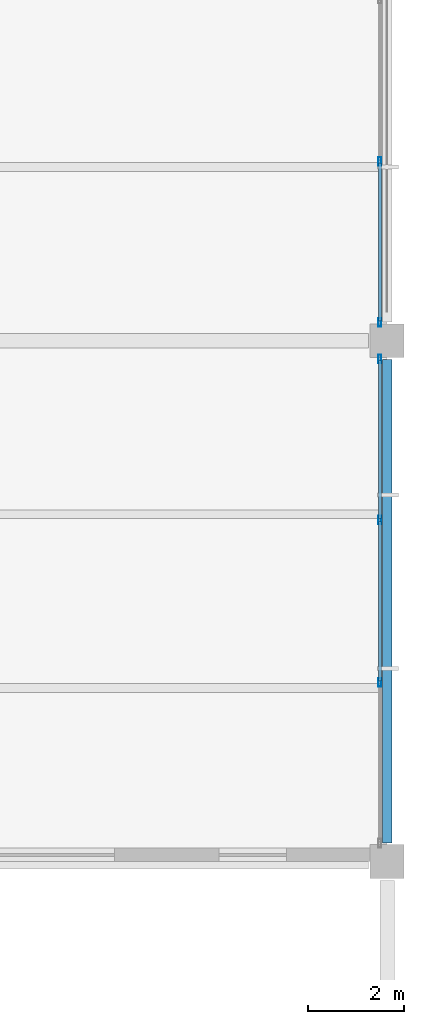
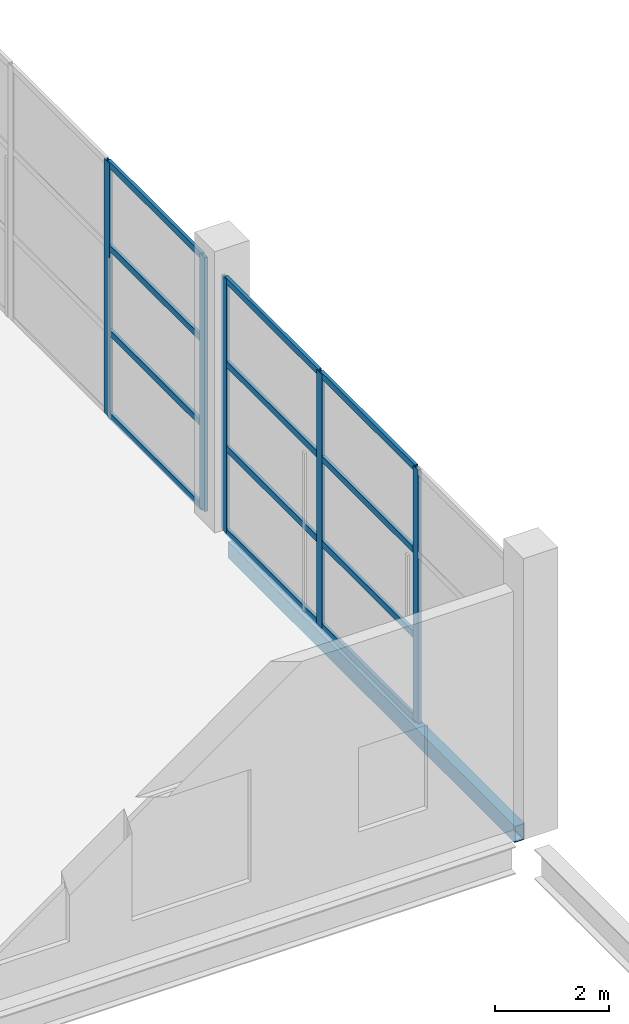
# One storey, part 138 of 191: 17 members, 1 beam, 2 elements without a shape of their own.
"""IFC4 building model written with IfcOpenShell, lengths in metres."""

from ifc_helpers import new_model, si_unit, direction, frame, origin, origin_2d, place, context, subcontext, project, spatial, hollow_rectangle, extrude, material, layer, layer_set, material_profile, profile_set, type_object, element, aggregate, save


model = new_model("IFC4")

# Units and contexts
model_context = context("Model", 3, precision=1e-05, world=origin(), true_north=direction((0.0, 1.0)))
body_context = subcontext(model_context, "Body", "Model", "MODEL_VIEW")
ifc_project = project(units=[si_unit("LENGTHUNIT", "METRE"), si_unit("AREAUNIT", "SQUARE_METRE"), si_unit("VOLUMEUNIT", "CUBIC_METRE"), si_unit("PLANEANGLEUNIT", "RADIAN"), si_unit("MASSUNIT", "GRAM", prefix="KILO")], contexts=[model_context])

# Site, building, storey
site_placement = place(None, origin())
site = spatial("IfcSite", under=ifc_project, at=site_placement, CompositionType="ELEMENT")
building_placement = place(site_placement, origin())
building = spatial("IfcBuilding", under=site, at=building_placement, Name="Tamarisk Ironworks Central Station", CompositionType="ELEMENT")
storey_placement = place(building_placement, frame((0.0, 0.0, 6.60009765625)))
storey = spatial("IfcBuildingStorey", under=building, at=storey_placement, Name="L01", CompositionType="ELEMENT", Elevation=6.60009765625)

# Beam
ifc_material_1 = material(Name="Structural steel S355J2", Category="steel")
ifc_material_profile_1 = material_profile(ifc_material_1, hollow_rectangle(XDim=0.199951171875, YDim=0.35009765625, WallThickness=0.012451171875, at=origin_2d()), Name="RHS 350x200x12.5")
ifc_profile_set_1 = profile_set([ifc_material_profile_1], Name="Structural steel S355J2")
beam_type = type_object("IfcBeamType", Name="BM-SP01", PredefinedType="SPANDREL", material=ifc_profile_set_1)
beam_placement = place(storey_placement, frame((180.0, 79.587890625, -0.425048828125), z_axis=(0.0, 1.0, 0.0), x_axis=(-1.0, 0.0, 0.0)))
element("IfcBeam", 1, at=beam_placement, inside=storey, type_object=beam_type, Name="L01 primary girder Y-0293", PredefinedType="SPANDREL", context=body_context, shape_type="SweptSolid", body=[
    extrude(hollow_rectangle(XDim=0.199951171875, YDim=0.35009765625, WallThickness=0.012451171875, at=origin_2d()), origin(), (0.0, 0.0, 1.0), 10.024169921875),
])

# Curtain wall, members
ifc_material_2 = material(Name="Anodized aluminium alloy 6063-T6", Category="aluminium")
ifc_layer = layer(ifc_material_2, 0.179931640625)
ifc_layer_set = layer_set([ifc_layer], Name="Anodized aluminium alloy 6063-T6")
curtain_wall_type = type_object("IfcCurtainWallType", Name="CW-16", PredefinedType="USERDEFINED", material=ifc_layer_set)
curtain_wall_1_placement = place(storey_placement, origin())
curtain_wall_1 = element("IfcCurtainWall", 2, at=curtain_wall_1_placement, inside=storey, type_object=curtain_wall_type, Name="Operations L01 east facade curtain wall 079", ObjectType="GLAZED CURTAIN WALL", PredefinedType="USERDEFINED")
ifc_material_profile_2 = material_profile(ifc_material_2, hollow_rectangle(XDim=0.06494140625, YDim=0.179931640625, WallThickness=0.00390625, at=origin_2d()), Name="ALUM 180x65")
ifc_profile_set_2 = profile_set([ifc_material_profile_2], Name="Anodized aluminium alloy 6063-T6")
member_type_1 = type_object("IfcMemberType", Name="CWM-02", PredefinedType="MULLION", material=ifc_profile_set_2)
member_1_placement = place(storey_placement, frame((179.85009765625, 82.916015625, 0.0), z_axis=(0.0, 0.0, 1.0), x_axis=(-1.0, 0.0, 0.0)))
member_1 = element("IfcMember", 3, at=member_1_placement, type_object=member_type_1, Name="CW16 mullion 2", PredefinedType="MULLION", context=body_context, shape_type="SweptSolid", body=[
    extrude(hollow_rectangle(XDim=0.06494140625, YDim=0.179931640625, WallThickness=0.00390625, at=origin_2d()), origin(), (0.0, 0.0, 1.0), 5.419921875),
])
member_2_placement = place(storey_placement, frame((179.85009765625, 86.283935546875, 0.0), z_axis=(0.0, 0.0, 1.0), x_axis=(-1.0, 0.0, 0.0)))
member_2 = element("IfcMember", 4, at=member_2_placement, type_object=member_type_1, Name="CW16 mullion 3", PredefinedType="MULLION", context=body_context, shape_type="SweptSolid", body=[
    extrude(hollow_rectangle(XDim=0.06494140625, YDim=0.179931640625, WallThickness=0.00390625, at=origin_2d()), origin(), (0.0, 0.0, 1.0), 5.419921875),
])
member_3_placement = place(storey_placement, frame((179.85009765625, 89.619384765625, 0.0), z_axis=(0.0, 0.0, 1.0), x_axis=(-1.0, 0.0, 0.0)))
member_3 = element("IfcMember", 5, at=member_3_placement, type_object=member_type_1, Name="CW16 mullion 4", PredefinedType="MULLION", context=body_context, shape_type="SweptSolid", body=[
    extrude(hollow_rectangle(XDim=0.06494140625, YDim=0.179931640625, WallThickness=0.00390625, at=origin_2d()), origin(), (0.0, 0.0, 1.0), 5.419921875),
])

curtain_wall_2_placement = place(storey_placement, origin())
curtain_wall_2 = element("IfcCurtainWall", 6, at=curtain_wall_2_placement, inside=storey, type_object=curtain_wall_type, Name="Operations L01 east facade curtain wall 090", ObjectType="GLAZED CURTAIN WALL", PredefinedType="USERDEFINED")
member_4_placement = place(storey_placement, frame((179.85009765625, 90.380615234375, 0.0), z_axis=(0.0, 0.0, 1.0), x_axis=(-1.0, 0.0, 0.0)))
member_4 = element("IfcMember", 7, at=member_4_placement, type_object=member_type_1, Name="CW16 mullion 1", PredefinedType="MULLION", context=body_context, shape_type="SweptSolid", body=[
    extrude(hollow_rectangle(XDim=0.06494140625, YDim=0.179931640625, WallThickness=0.00390625, at=origin_2d()), origin(), (0.0, 0.0, 1.0), 5.419921875),
])
member_5_placement = place(storey_placement, frame((179.85009765625, 93.716064453125, 0.0), z_axis=(0.0, 0.0, 1.0), x_axis=(-1.0, 0.0, 0.0)))
member_5 = element("IfcMember", 8, at=member_5_placement, type_object=member_type_1, Name="CW16 mullion 2", PredefinedType="MULLION", context=body_context, shape_type="SweptSolid", body=[
    extrude(hollow_rectangle(XDim=0.06494140625, YDim=0.179931640625, WallThickness=0.00390625, at=origin_2d()), origin(), (0.0, 0.0, 1.0), 5.419921875),
])

# Member
ifc_material_profile_3 = material_profile(ifc_material_2, hollow_rectangle(XDim=0.06494140625, YDim=0.135009765625, WallThickness=0.00341796875, at=origin_2d()), Name="ALUM 135x65")
ifc_profile_set_3 = profile_set([ifc_material_profile_3], Name="Anodized aluminium alloy 6063-T6")
member_type_2 = type_object("IfcMemberType", Name="CWT-02", PredefinedType="USERDEFINED", material=ifc_profile_set_3)
member_6_placement = place(storey_placement, frame((179.85009765625, 82.944580078125, 0.032470703125), z_axis=(0.0, 1.0, 0.0), x_axis=(-1.0, 0.0, 0.0)))
member_6 = element("IfcMember", 9, at=member_6_placement, type_object=member_type_2, Name="CW16 transom 2.1", ObjectType="TRANSOM", PredefinedType="USERDEFINED", context=body_context, shape_type="SweptSolid", body=[
    extrude(hollow_rectangle(XDim=0.06494140625, YDim=0.135009765625, WallThickness=0.00341796875, at=origin_2d()), origin(), (0.0, 0.0, 1.0), 3.31103515625),
])

member_7_placement = place(storey_placement, frame((179.85009765625, 82.944580078125, 1.806640625), z_axis=(0.0, 1.0, 0.0), x_axis=(-1.0, 0.0, 0.0)))
member_7 = element("IfcMember", 10, at=member_7_placement, type_object=member_type_2, Name="CW16 transom 2.2", ObjectType="TRANSOM", PredefinedType="USERDEFINED", context=body_context, shape_type="SweptSolid", body=[
    extrude(hollow_rectangle(XDim=0.06494140625, YDim=0.135009765625, WallThickness=0.00341796875, at=origin_2d()), origin(), (0.0, 0.0, 1.0), 3.31103515625),
])

member_8_placement = place(storey_placement, frame((179.85009765625, 82.944580078125, 3.61328125), z_axis=(0.0, 1.0, 0.0), x_axis=(-1.0, 0.0, 0.0)))
member_8 = element("IfcMember", 11, at=member_8_placement, type_object=member_type_2, Name="CW16 transom 2.3", ObjectType="TRANSOM", PredefinedType="USERDEFINED", context=body_context, shape_type="SweptSolid", body=[
    extrude(hollow_rectangle(XDim=0.06494140625, YDim=0.135009765625, WallThickness=0.00341796875, at=origin_2d()), origin(), (0.0, 0.0, 1.0), 3.31103515625),
])

member_9_placement = place(storey_placement, frame((179.85009765625, 82.944580078125, 5.387451171875), z_axis=(0.0, 1.0, 0.0), x_axis=(-1.0, 0.0, 0.0)))
member_9 = element("IfcMember", 12, at=member_9_placement, type_object=member_type_2, Name="CW16 transom 2.4", ObjectType="TRANSOM", PredefinedType="USERDEFINED", context=body_context, shape_type="SweptSolid", body=[
    extrude(hollow_rectangle(XDim=0.06494140625, YDim=0.135009765625, WallThickness=0.00341796875, at=origin_2d()), origin(), (0.0, 0.0, 1.0), 3.31103515625),
])

member_10_placement = place(storey_placement, frame((179.85009765625, 86.3125, 0.032470703125), z_axis=(0.0, 1.0, 0.0), x_axis=(-1.0, 0.0, 0.0)))
member_10 = element("IfcMember", 13, at=member_10_placement, type_object=member_type_2, Name="CW16 transom 3.1", ObjectType="TRANSOM", PredefinedType="USERDEFINED", context=body_context, shape_type="SweptSolid", body=[
    extrude(hollow_rectangle(XDim=0.06494140625, YDim=0.135009765625, WallThickness=0.00341796875, at=origin_2d()), origin(), (0.0, 0.0, 1.0), 3.278564453125),
])

member_11_placement = place(storey_placement, frame((179.85009765625, 86.3125, 1.806640625), z_axis=(0.0, 1.0, 0.0), x_axis=(-1.0, 0.0, 0.0)))
member_11 = element("IfcMember", 14, at=member_11_placement, type_object=member_type_2, Name="CW16 transom 3.2", ObjectType="TRANSOM", PredefinedType="USERDEFINED", context=body_context, shape_type="SweptSolid", body=[
    extrude(hollow_rectangle(XDim=0.06494140625, YDim=0.135009765625, WallThickness=0.00341796875, at=origin_2d()), origin(), (0.0, 0.0, 1.0), 3.278564453125),
])

member_12_placement = place(storey_placement, frame((179.85009765625, 86.3125, 3.61328125), z_axis=(0.0, 1.0, 0.0), x_axis=(-1.0, 0.0, 0.0)))
member_12 = element("IfcMember", 15, at=member_12_placement, type_object=member_type_2, Name="CW16 transom 3.3", ObjectType="TRANSOM", PredefinedType="USERDEFINED", context=body_context, shape_type="SweptSolid", body=[
    extrude(hollow_rectangle(XDim=0.06494140625, YDim=0.135009765625, WallThickness=0.00341796875, at=origin_2d()), origin(), (0.0, 0.0, 1.0), 3.278564453125),
])

member_13_placement = place(storey_placement, frame((179.85009765625, 86.3125, 5.387451171875), z_axis=(0.0, 1.0, 0.0), x_axis=(-1.0, 0.0, 0.0)))
member_13 = element("IfcMember", 16, at=member_13_placement, type_object=member_type_2, Name="CW16 transom 3.4", ObjectType="TRANSOM", PredefinedType="USERDEFINED", context=body_context, shape_type="SweptSolid", body=[
    extrude(hollow_rectangle(XDim=0.06494140625, YDim=0.135009765625, WallThickness=0.00341796875, at=origin_2d()), origin(), (0.0, 0.0, 1.0), 3.278564453125),
])

aggregate(curtain_wall_1, [member_1, member_2, member_3, member_6, member_7, member_8, member_9, member_10, member_11, member_12, member_13])

member_14_placement = place(storey_placement, frame((179.85009765625, 90.408935546875, 0.032470703125), z_axis=(0.0, 1.0, 0.0), x_axis=(-1.0, 0.0, 0.0)))
member_14 = element("IfcMember", 17, at=member_14_placement, type_object=member_type_2, Name="CW16 transom 1.1", ObjectType="TRANSOM", PredefinedType="USERDEFINED", context=body_context, shape_type="SweptSolid", body=[
    extrude(hollow_rectangle(XDim=0.06494140625, YDim=0.135009765625, WallThickness=0.00341796875, at=origin_2d()), origin(), (0.0, 0.0, 1.0), 3.278564453125),
])

member_15_placement = place(storey_placement, frame((179.85009765625, 90.408935546875, 1.806640625), z_axis=(0.0, 1.0, 0.0), x_axis=(-1.0, 0.0, 0.0)))
member_15 = element("IfcMember", 18, at=member_15_placement, type_object=member_type_2, Name="CW16 transom 1.2", ObjectType="TRANSOM", PredefinedType="USERDEFINED", context=body_context, shape_type="SweptSolid", body=[
    extrude(hollow_rectangle(XDim=0.06494140625, YDim=0.135009765625, WallThickness=0.00341796875, at=origin_2d()), origin(), (0.0, 0.0, 1.0), 3.278564453125),
])

member_16_placement = place(storey_placement, frame((179.85009765625, 90.408935546875, 3.61328125), z_axis=(0.0, 1.0, 0.0), x_axis=(-1.0, 0.0, 0.0)))
member_16 = element("IfcMember", 19, at=member_16_placement, type_object=member_type_2, Name="CW16 transom 1.3", ObjectType="TRANSOM", PredefinedType="USERDEFINED", context=body_context, shape_type="SweptSolid", body=[
    extrude(hollow_rectangle(XDim=0.06494140625, YDim=0.135009765625, WallThickness=0.00341796875, at=origin_2d()), origin(), (0.0, 0.0, 1.0), 3.278564453125),
])

member_17_placement = place(storey_placement, frame((179.85009765625, 90.408935546875, 5.387451171875), z_axis=(0.0, 1.0, 0.0), x_axis=(-1.0, 0.0, 0.0)))
member_17 = element("IfcMember", 20, at=member_17_placement, type_object=member_type_2, Name="CW16 transom 1.4", ObjectType="TRANSOM", PredefinedType="USERDEFINED", context=body_context, shape_type="SweptSolid", body=[
    extrude(hollow_rectangle(XDim=0.06494140625, YDim=0.135009765625, WallThickness=0.00341796875, at=origin_2d()), origin(), (0.0, 0.0, 1.0), 3.278564453125),
])

aggregate(curtain_wall_2, [member_4, member_5, member_14, member_15, member_16, member_17])

save(model, "model.ifc")
